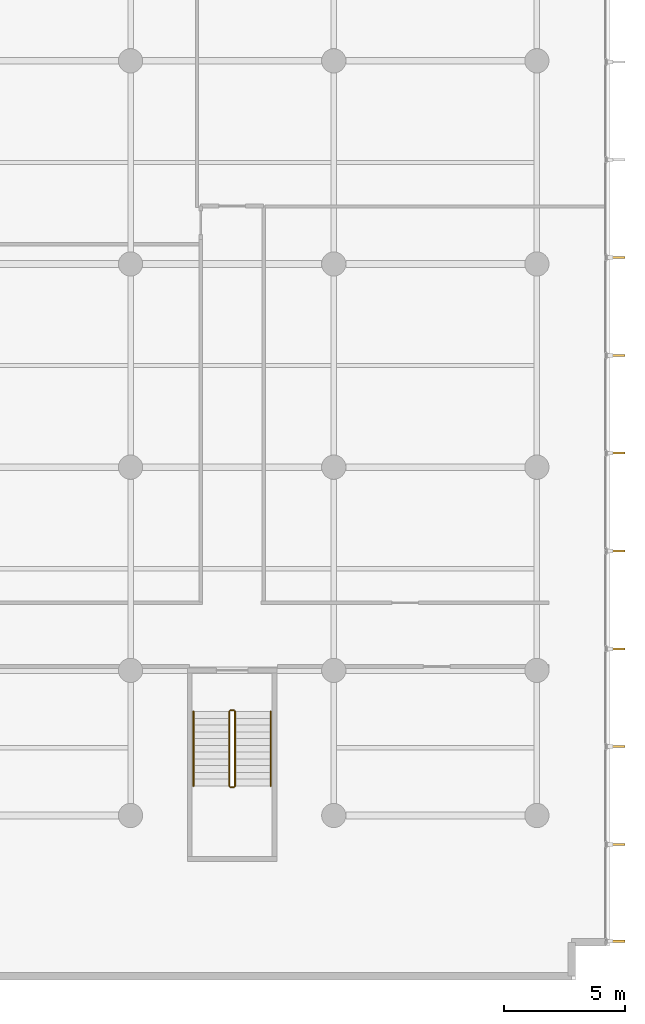
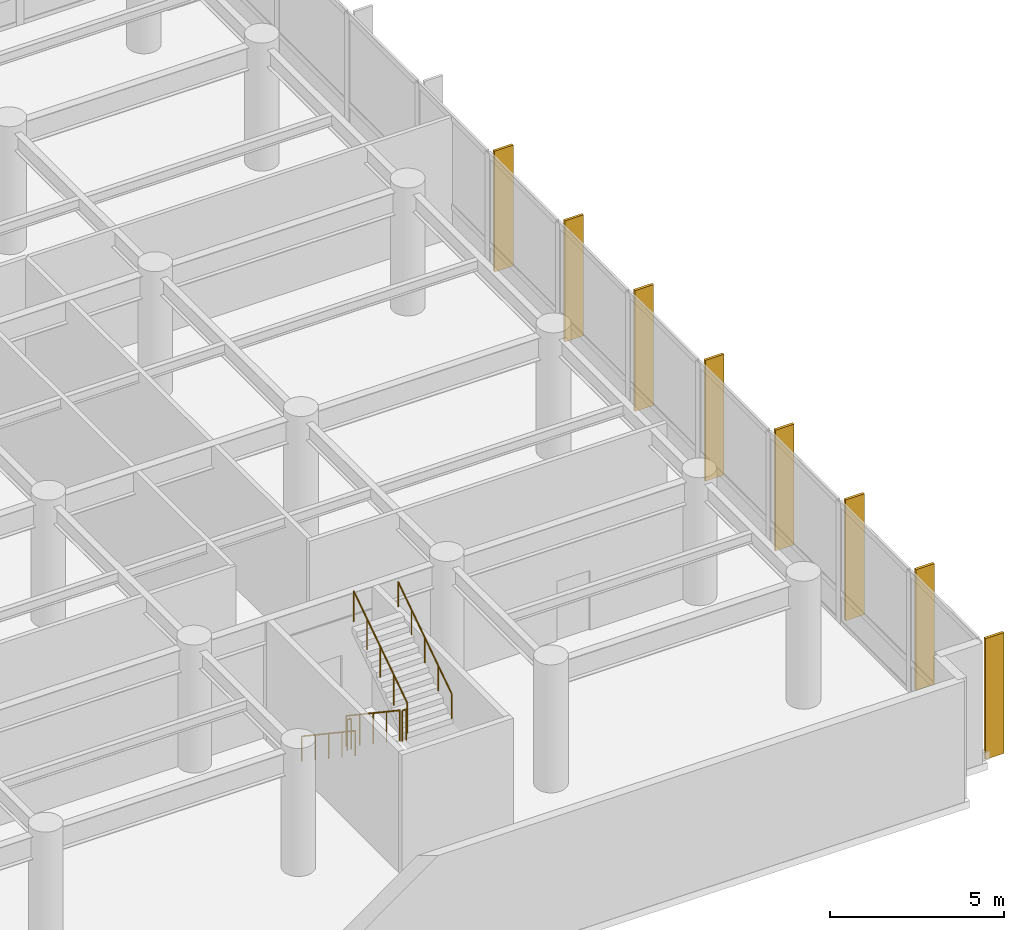
# One storey, part 25 of 26: 8 shading devices, 6 railings.
"""IFC4 building model written with IfcOpenShell, lengths in metres."""

from ifc_helpers import new_model, si_unit, direction, frame, origin, origin_2d, place, context, subcontext, project, spatial, rectangle, circle, extrude, material, layer, layer_set, type_object, element, save


model = new_model("IFC4")

# Units and contexts
model_context = context("Model", 3, precision=1e-05, world=origin(), true_north=direction((0.0, 1.0)))
body_context = subcontext(model_context, "Body", "Model", "MODEL_VIEW")
ifc_project = project(units=[si_unit("LENGTHUNIT", "METRE"), si_unit("AREAUNIT", "SQUARE_METRE"), si_unit("VOLUMEUNIT", "CUBIC_METRE"), si_unit("PLANEANGLEUNIT", "RADIAN"), si_unit("MASSUNIT", "GRAM", prefix="KILO")], contexts=[model_context])

# Site, building, storey
site_placement = place(None, origin())
site = spatial("IfcSite", under=ifc_project, at=site_placement, CompositionType="ELEMENT")
building_placement = place(site_placement, origin())
building = spatial("IfcBuilding", under=site, at=building_placement, Name="Varnakote Quay Hospital", CompositionType="ELEMENT")
storey_placement = place(building_placement, frame((0.0, 0.0, 9.0)))
storey = spatial("IfcBuildingStorey", under=building, at=storey_placement, Name="L02", CompositionType="ELEMENT", Elevation=9.0)

# Railings
ifc_material_1 = material(Name="Brushed stainless steel balustrade", Category="steel")
railing_type_1 = type_object("IfcRailingType", Name="RLG-STAIR-GUARD-1150", PredefinedType="GUARDRAIL", material=ifc_material_1)
railing_1_placement = place(storey_placement, frame((71.280029296875, 10.300048828125, 0.1875)))
element("IfcRailing", 1, at=railing_1_placement, inside=storey, type_object=railing_type_1, Name="L02 ST-06 stair guard 1", PredefinedType="GUARDRAIL", context=body_context, shape_type="SweptSolid", body=[
    extrude(circle(Radius=0.02392578125, at=origin_2d()), frame((0.0, 0.0, 1.076171875), z_axis=(0.0, -0.830913701846, 0.55640131208), x_axis=(1.0, 0.0, 0.0)), (0.0, 0.0, 1.0), 3.706787109375),
    extrude(circle(Radius=0.02099609375, at=origin_2d()), origin(), (0.0, 0.0, 1.0), 1.052001953125),
    extrude(circle(Radius=0.02099609375, at=origin_2d()), frame((0.0, -0.77001953125, 0.515625)), (0.0, 0.0, 1.0), 1.052001953125),
    extrude(circle(Radius=0.02099609375, at=origin_2d()), frame((0.0, -1.5400390625, 1.03125)), (0.0, 0.0, 1.0), 1.052001953125),
    extrude(circle(Radius=0.02099609375, at=origin_2d()), frame((0.0, -2.31005859375, 1.546875)), (0.0, 0.0, 1.0), 1.052001953125),
    extrude(circle(Radius=0.02099609375, at=origin_2d()), frame((0.0, -3.080078125, 2.0625)), (0.0, 0.0, 1.0), 1.052001953125),
])
railing_2_placement = place(storey_placement, frame((71.330078125, 7.169921875, 2.25)))
element("IfcRailing", 2, at=railing_2_placement, inside=storey, type_object=railing_type_1, Name="L02 ST-06 stair guard 2", PredefinedType="GUARDRAIL", context=body_context, shape_type="SweptSolid", body=[
    extrude(circle(Radius=0.02392578125, at=origin_2d()), frame((0.0, 0.0, 1.076171875), z_axis=(1.0, 0.0, 0.0), x_axis=(0.0, 1.0, 0.0)), (0.0, 0.0, 1.0), 0.139892578125),
    extrude(circle(Radius=0.02099609375, at=origin_2d()), origin(), (0.0, 0.0, 1.0), 1.052001953125),
    extrude(circle(Radius=0.02099609375, at=origin_2d()), frame((0.139892578125, 0.0, 0.0)), (0.0, 0.0, 1.0), 1.052001953125),
])
railing_3_placement = place(storey_placement, frame((71.52001953125, 7.219970703125, 2.4375)))
element("IfcRailing", 3, at=railing_3_placement, inside=storey, type_object=railing_type_1, Name="L02 ST-06 stair guard 3", PredefinedType="GUARDRAIL", context=body_context, shape_type="SweptSolid", body=[
    extrude(circle(Radius=0.02392578125, at=origin_2d()), frame((0.0, 0.0, 1.076171875), z_axis=(0.0, 0.830913701846, 0.55640131208), x_axis=(-1.0, 0.0, 0.0)), (0.0, 0.0, 1.0), 3.706787109375),
    extrude(circle(Radius=0.02099609375, at=origin_2d()), origin(), (0.0, 0.0, 1.0), 1.052001953125),
    extrude(circle(Radius=0.02099609375, at=origin_2d()), frame((0.0, 0.77001953125, 0.515625)), (0.0, 0.0, 1.0), 1.052001953125),
    extrude(circle(Radius=0.02099609375, at=origin_2d()), frame((0.0, 1.5400390625, 1.03125)), (0.0, 0.0, 1.0), 1.052001953125),
    extrude(circle(Radius=0.02099609375, at=origin_2d()), frame((0.0, 2.31005859375, 1.546875)), (0.0, 0.0, 1.0), 1.052001953125),
    extrude(circle(Radius=0.02099609375, at=origin_2d()), frame((0.0, 3.080078125, 2.0625)), (0.0, 0.0, 1.0), 1.052001953125),
])
railing_4_placement = place(storey_placement, frame((71.330078125, 10.35009765625, 0.0)))
element("IfcRailing", 4, at=railing_4_placement, inside=storey, type_object=railing_type_1, Name="L02 ST-06 stair guard 4", PredefinedType="GUARDRAIL", context=body_context, shape_type="SweptSolid", body=[
    extrude(circle(Radius=0.02392578125, at=origin_2d()), frame((0.0, 0.0, 1.076171875), z_axis=(1.0, 0.0, 0.0), x_axis=(0.0, 1.0, 0.0)), (0.0, 0.0, 1.0), 0.139892578125),
    extrude(circle(Radius=0.02099609375, at=origin_2d()), origin(), (0.0, 0.0, 1.0), 1.052001953125),
    extrude(circle(Radius=0.02099609375, at=origin_2d()), frame((0.139892578125, 0.0, 0.0)), (0.0, 0.0, 1.0), 1.052001953125),
])
ifc_material_2 = material(Name="Brushed stainless steel handrail", Category="steel")
railing_type_2 = type_object("IfcRailingType", Name="RLG-STAIR-HND-920", PredefinedType="HANDRAIL", material=ifc_material_2)
railing_5_placement = place(storey_placement, frame((69.800048828125, 10.300048828125, 0.1875)))
element("IfcRailing", 5, at=railing_5_placement, inside=storey, type_object=railing_type_2, Name="L02 ST-06 stair handrail 1", PredefinedType="HANDRAIL", context=body_context, shape_type="SweptSolid", body=[
    extrude(circle(Radius=0.02392578125, at=origin_2d()), frame((0.0, 0.0, 0.8759765625), z_axis=(0.0, -0.830913701846, 0.55640131208), x_axis=(1.0, 0.0, 0.0)), (0.0, 0.0, 1.0), 3.706787109375),
    extrude(circle(Radius=0.02099609375, at=origin_2d()), origin(), (0.0, 0.0, 1.0), 0.851806640625),
    extrude(circle(Radius=0.02099609375, at=origin_2d()), frame((0.0, -0.77001953125, 0.515625)), (0.0, 0.0, 1.0), 0.851806640625),
    extrude(circle(Radius=0.02099609375, at=origin_2d()), frame((0.0, -1.5400390625, 1.03125)), (0.0, 0.0, 1.0), 0.851806640625),
    extrude(circle(Radius=0.02099609375, at=origin_2d()), frame((0.0, -2.31005859375, 1.546875)), (0.0, 0.0, 1.0), 0.851806640625),
    extrude(circle(Radius=0.02099609375, at=origin_2d()), frame((0.0, -3.080078125, 2.0625)), (0.0, 0.0, 1.0), 0.851806640625),
])
railing_6_placement = place(storey_placement, frame((73.0, 7.219970703125, 2.4375)))
element("IfcRailing", 6, at=railing_6_placement, inside=storey, type_object=railing_type_2, Name="L02 ST-06 stair handrail 2", PredefinedType="HANDRAIL", context=body_context, shape_type="SweptSolid", body=[
    extrude(circle(Radius=0.02392578125, at=origin_2d()), frame((0.0, 0.0, 0.8759765625), z_axis=(0.0, 0.830913701846, 0.55640131208), x_axis=(-1.0, 0.0, 0.0)), (0.0, 0.0, 1.0), 3.706787109375),
    extrude(circle(Radius=0.02099609375, at=origin_2d()), origin(), (0.0, 0.0, 1.0), 0.851806640625),
    extrude(circle(Radius=0.02099609375, at=origin_2d()), frame((0.0, 0.77001953125, 0.515625)), (0.0, 0.0, 1.0), 0.851806640625),
    extrude(circle(Radius=0.02099609375, at=origin_2d()), frame((0.0, 1.5400390625, 1.03125)), (0.0, 0.0, 1.0), 0.851806640625),
    extrude(circle(Radius=0.02099609375, at=origin_2d()), frame((0.0, 2.31005859375, 1.546875)), (0.0, 0.0, 1.0), 0.851806640625),
    extrude(circle(Radius=0.02099609375, at=origin_2d()), frame((0.0, 3.080078125, 2.0625)), (0.0, 0.0, 1.0), 0.851806640625),
])

# Shading devices
ifc_material_3 = material(Name="Anodised aluminium 6063-T6 Bronze", Category="aluminium")
ifc_layer = layer(ifc_material_3, 0.0849609375)
ifc_layer_set = layer_set([ifc_layer], Name="Anodised aluminium 6063-T6 Bronze")
shading_device_type = type_object("IfcShadingDeviceType", Name="SHD-BRONZE-FIN-620", PredefinedType="USERDEFINED", material=ifc_layer_set)
for number, where, z_axis, x_axis, name in (
    (7, (87.330078125, 0.802490234375, 0.0), (0.0, 0.0, 1.0), (-1.0, 0.0, 0.0), "L02 Anodised Bronze Vertical Shading FIN"),
    (8, (87.330078125, 4.8037109375, 0.0), (0.0, 0.0, 1.0), (-1.0, 0.0, 0.0), "L02 Anodised Bronze Vertical Shading FIN"),
    (9, (87.330078125, 8.847412109375, 0.0), (0.0, 0.0, 1.0), (-1.0, 0.0, 0.0), "L02 Anodised Bronze Vertical Shading FIN"),
    (10, (87.330078125, 12.890869140625, 0.0), (0.0, 0.0, 1.0), (-1.0, 0.0, 0.0), "L02 Anodised Bronze Vertical Shading FIN"),
    (11, (87.330078125, 16.9345703125, 0.0), (0.0, 0.0, 1.0), (-1.0, 0.0, 0.0), "L02 Anodised Bronze Vertical Shading FIN"),
    (12, (87.330078125, 20.978271484375, 0.0), (0.0, 0.0, 1.0), (-1.0, 0.0, 0.0), "L02 Anodised Bronze Vertical Shading FIN"),
    (13, (87.330078125, 25.021728515625, 0.0), (0.0, 0.0, 1.0), (-1.0, 0.0, 0.0), "L02 Anodised Bronze Vertical Shading FIN"),
    (14, (87.330078125, 29.0654296875, 0.0), (0.0, 0.0, 1.0), (-1.0, 0.0, 0.0), "L02 Anodised Bronze Vertical Shading FIN"),
):
    element("IfcShadingDevice", number, at=place(storey_placement, frame(where, z_axis=z_axis, x_axis=x_axis)), inside=storey, type_object=shading_device_type, Name=name, ObjectType="FIN", PredefinedType="USERDEFINED", context=body_context, shape_type="SweptSolid", body=[
        extrude(rectangle(XDim=0.6201171875, YDim=0.0849609375, at=origin_2d()), origin(), (0.0, 0.0, 1.0), 4.25),
    ])

save(model, "model.ifc")
